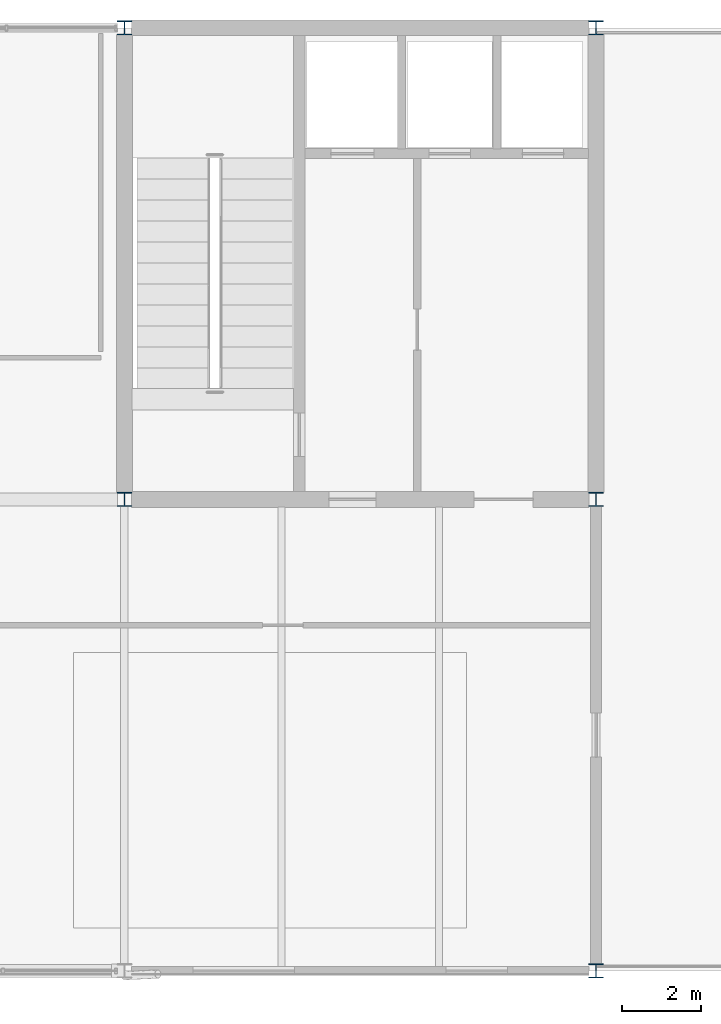
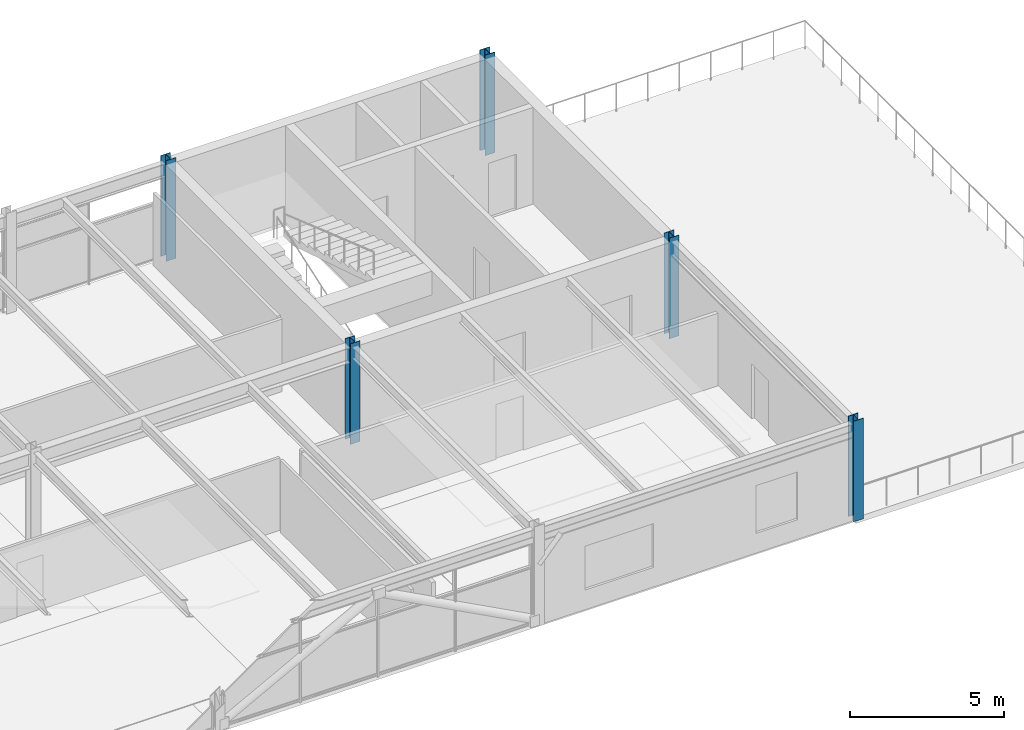
# One storey, part 3 of 32: 5 columns.
"""IFC4 building model written with IfcOpenShell, lengths in metres."""

from ifc_helpers import new_model, si_unit, direction, frame, origin, origin_2d, place, context, subcontext, project, spatial, i_section, extrude, material, material_profile, profile_set, type_object, element, save


model = new_model("IFC4")

# Units and contexts
model_context = context("Model", 3, precision=1e-05, world=origin(), true_north=direction((0.0, 1.0)))
body_context = subcontext(model_context, "Body", "Model", "MODEL_VIEW")
ifc_project = project(units=[si_unit("LENGTHUNIT", "METRE"), si_unit("AREAUNIT", "SQUARE_METRE"), si_unit("VOLUMEUNIT", "CUBIC_METRE"), si_unit("PLANEANGLEUNIT", "RADIAN"), si_unit("MASSUNIT", "GRAM", prefix="KILO")], contexts=[model_context])

# Site, building, storey
site_placement = place(None, origin())
site = spatial("IfcSite", under=ifc_project, at=site_placement, CompositionType="ELEMENT")
building_placement = place(site_placement, origin())
building = spatial("IfcBuilding", under=site, at=building_placement, Name="Girod Span Mobility Hub", CompositionType="ELEMENT")
storey_placement = place(building_placement, frame((0.0, 0.0, 61.60009765625)))
storey = spatial("IfcBuildingStorey", under=building, at=storey_placement, Name="L15", CompositionType="ELEMENT", Elevation=61.60009765625)

# Columns
ifc_material = material(Name="Steel A992 Grade 50", Category="steel")
ifc_material_profile = material_profile(ifc_material, i_section(OverallWidth=0.368896484375, OverallDepth=0.35595703125, WebThickness=0.01123046875, FlangeThickness=0.01806640625, FilletRadius=0.01806640625, at=origin_2d()), Name="W14X90")
ifc_profile_set = profile_set([ifc_material_profile], Name="Steel A992 Grade 50")
column_type = type_object("IfcColumnType", Name="COL-STL-W14X90", PredefinedType="COLUMN", material=ifc_profile_set)
for number, where, z_axis, x_axis, name in (
    (1, (108.0, 57.0, 0.0), (0.0, 0.0, 1.0), (1.0, 0.0, 0.0), "Column 10E L15"),
    (2, (108.0, 69.0, 0.0), (0.0, 0.0, 1.0), (1.0, 0.0, 0.0), "Column 10F L15"),
    (3, (120.0, 45.0, 0.0), (0.0, 0.0, 1.0), (1.0, 0.0, 0.0), "Column 11D L15"),
    (4, (120.0, 57.0, 0.0), (0.0, 0.0, 1.0), (1.0, 0.0, 0.0), "Column 11E L15"),
    (5, (120.0, 69.0, 0.0), (0.0, 0.0, 1.0), (1.0, 0.0, 0.0), "Column 11F L15"),
):
    element("IfcColumn", number, at=place(storey_placement, frame(where, z_axis=z_axis, x_axis=x_axis)), inside=storey, type_object=column_type, Name=name, PredefinedType="COLUMN", context=body_context, shape_type="SweptSolid", body=[
        extrude(i_section(OverallWidth=0.368896484375, OverallDepth=0.35595703125, WebThickness=0.01123046875, FlangeThickness=0.01806640625, FilletRadius=0.01806640625, at=origin_2d()), origin(), (0.0, 0.0, 1.0), 4.0),
    ])

save(model, "model.ifc")
